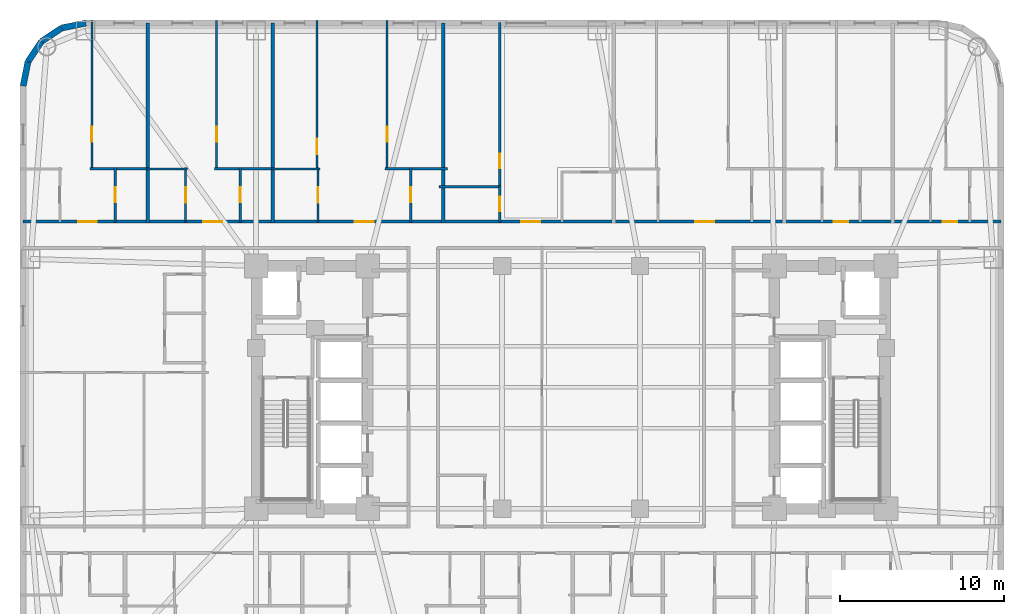
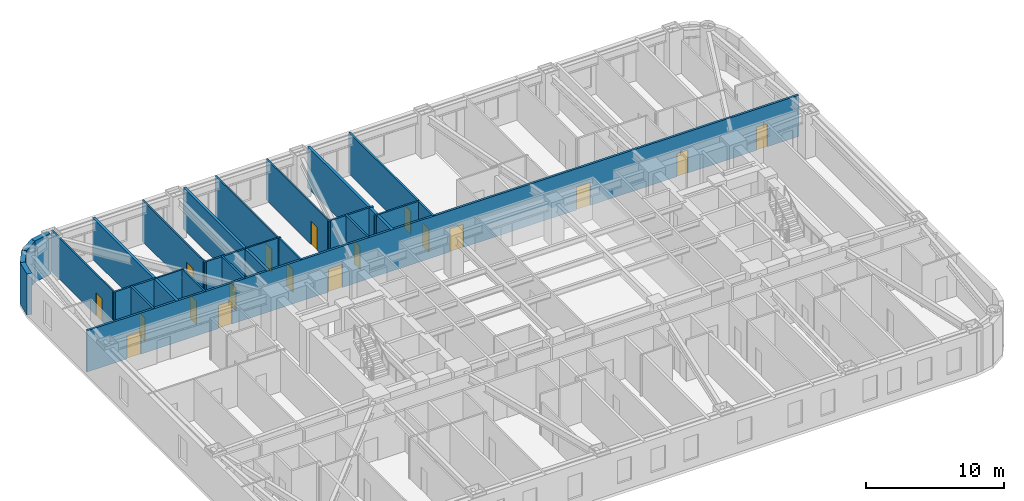
# One storey, part 7 of 12: 25 walls, 18 doors, 18 openings.
"""IFC4 building model written with IfcOpenShell, lengths in metres."""

from ifc_helpers import new_model, si_unit, direction, frame, frame_2d, origin, place, context, subcontext, project, spatial, rectangle, extrude, material, layer, layer_set, type_object, element, fill, save


model = new_model("IFC4")

# Units and contexts
model_context = context("Model", 3, precision=1e-05, world=origin(), true_north=direction((0.0, 1.0)))
body_context = subcontext(model_context, "Body", "Model", "MODEL_VIEW")
ifc_project = project(units=[si_unit("LENGTHUNIT", "METRE"), si_unit("AREAUNIT", "SQUARE_METRE"), si_unit("VOLUMEUNIT", "CUBIC_METRE"), si_unit("PLANEANGLEUNIT", "RADIAN"), si_unit("MASSUNIT", "GRAM", prefix="KILO")], contexts=[model_context])

# Site, building, storey
site_placement = place(None, origin())
site = spatial("IfcSite", under=ifc_project, at=site_placement, CompositionType="ELEMENT")
building_placement = place(site_placement, origin())
building = spatial("IfcBuilding", under=site, at=building_placement, Name="Voryun Gate Residences", CompositionType="ELEMENT")
storey_placement = place(building_placement, frame((0.0, 0.0, 41.60009765625)))
storey = spatial("IfcBuildingStorey", under=building, at=storey_placement, Name="L09", CompositionType="ELEMENT", Elevation=41.60009765625)

# Wall, openings, doors
ifc_material_1 = material(Name="Gypsum acoustic fireboard")
ifc_layer_1 = layer(ifc_material_1, 0.179931640625, Name="W_CORR_RATED_180")
ifc_layer_set_1 = layer_set([ifc_layer_1], Name="Gypsum acoustic fireboard")
wall_type_1 = type_object("IfcWallType", Name="W_CORR_RATED_180", PredefinedType="PARTITIONING", material=ifc_layer_set_1)
wall_1_placement = place(storey_placement, frame((-33.409912109375, 10.10009765625, 0.0), z_axis=(0.0, 0.0, 1.0), x_axis=(1.0, 0.0, 0.0)))
wall_1 = element("IfcWall", 1, at=wall_1_placement, inside=storey, type_object=wall_type_1, Name="Partition wall WP-L09-NCORR", PredefinedType="PARTITIONING", context=body_context, shape_type="SweptSolid", body=[
    extrude(rectangle(XDim=59.619873046875, YDim=0.179931640625, at=frame_2d((29.81005859375, 0.0))), origin(), (0.0, 0.0, 1.0), 3.64990234375),
])
opening_1_placement = place(wall_1_placement, frame((3.35400390625, 0.0, 0.0)))
opening_1 = element("IfcOpeningElement", 2, at=opening_1_placement, cuts=wall_1, Name="Opening D-UNIT-1", PredefinedType="OPENING", context=body_context, shape_type="SweptSolid", body=[
    extrude(rectangle(XDim=1.14990234375, YDim=2.050048828125, at=frame_2d((0.574951171875, 1.02490234375))), frame((0.0, 0.099853515625, 0.0), z_axis=(0.0, -1.0, 0.0), x_axis=(1.0, 0.0, 0.0)), (0.0, 0.0, 1.0), 0.199951171875),
])
opening_2_placement = place(wall_1_placement, frame((10.997314453125, 0.0, 0.0)))
opening_2 = element("IfcOpeningElement", 3, at=opening_2_placement, cuts=wall_1, Name="Opening D-UNIT-1", PredefinedType="OPENING", context=body_context, shape_type="SweptSolid", body=[
    extrude(rectangle(XDim=1.14990234375, YDim=2.050048828125, at=frame_2d((0.574951171875, 1.02490234375))), frame((0.0, 0.099853515625, 0.0), z_axis=(0.0, -1.0, 0.0), x_axis=(1.0, 0.0, 0.0)), (0.0, 0.0, 1.0), 0.199951171875),
])
opening_3_placement = place(wall_1_placement, frame((20.232421875, 0.0, 0.0)))
opening_3 = element("IfcOpeningElement", 4, at=opening_3_placement, cuts=wall_1, Name="Opening D-UNIT-1", PredefinedType="OPENING", context=body_context, shape_type="SweptSolid", body=[
    extrude(rectangle(XDim=1.14990234375, YDim=2.050048828125, at=frame_2d((0.574951171875, 1.02490234375))), frame((0.0, 0.099853515625, 0.0), z_axis=(0.0, -1.0, 0.0), x_axis=(1.0, 0.0, 0.0)), (0.0, 0.0, 1.0), 0.199951171875),
])
opening_4_placement = place(wall_1_placement, frame((30.379638671875, 0.0, 0.0)))
opening_4 = element("IfcOpeningElement", 5, at=opening_4_placement, cuts=wall_1, Name="Opening D-UNIT-1", PredefinedType="OPENING", context=body_context, shape_type="SweptSolid", body=[
    extrude(rectangle(XDim=1.14990234375, YDim=2.050048828125, at=frame_2d((0.574951171875, 1.02490234375))), frame((0.0, 0.099853515625, 0.0), z_axis=(0.0, -1.0, 0.0), x_axis=(1.0, 0.0, 0.0)), (0.0, 0.0, 1.0), 0.199951171875),
])
opening_5_placement = place(wall_1_placement, frame((40.998046875, 0.0, 0.0)))
opening_5 = element("IfcOpeningElement", 6, at=opening_5_placement, cuts=wall_1, Name="Opening D-UNIT-1", PredefinedType="OPENING", context=body_context, shape_type="SweptSolid", body=[
    extrude(rectangle(XDim=1.14990234375, YDim=2.050048828125, at=frame_2d((0.574951171875, 1.02490234375))), frame((0.0, 0.099853515625, 0.0), z_axis=(0.0, -1.0, 0.0), x_axis=(1.0, 0.0, 0.0)), (0.0, 0.0, 1.0), 0.199951171875),
])
opening_6_placement = place(wall_1_placement, frame((49.427978515625, 0.0, 0.0)))
opening_6 = element("IfcOpeningElement", 7, at=opening_6_placement, cuts=wall_1, Name="Opening D-INT-2", PredefinedType="OPENING", context=body_context, shape_type="SweptSolid", body=[
    extrude(rectangle(XDim=0.89990234375, YDim=2.050048828125, at=frame_2d((0.449951171875, 1.02490234375))), frame((0.0, 0.099853515625, 0.0), z_axis=(0.0, -1.0, 0.0), x_axis=(1.0, 0.0, 0.0)), (0.0, 0.0, 1.0), 0.199951171875),
])
opening_7_placement = place(wall_1_placement, frame((56.06982421875, 0.0, 0.0)))
opening_7 = element("IfcOpeningElement", 8, at=opening_7_placement, cuts=wall_1, Name="Opening D-INT-2", PredefinedType="OPENING", context=body_context, shape_type="SweptSolid", body=[
    extrude(rectangle(XDim=0.89990234375, YDim=2.050048828125, at=frame_2d((0.449951171875, 1.02490234375))), frame((0.0, 0.099853515625, 0.0), z_axis=(0.0, -1.0, 0.0), x_axis=(1.0, 0.0, 0.0)), (0.0, 0.0, 1.0), 0.199951171875),
])
ifc_material_2 = material(Name="Architectural oak veneer")
door_type_1 = type_object("IfcDoorType", Name="DR_INT_BATH_900", OperationType="NOTDEFINED", PredefinedType="DOOR", material=ifc_material_2)
door_1_placement = place(opening_6_placement, origin())
door_1 = element("IfcDoor", 9, at=door_1_placement, inside=storey, type_object=door_type_1, Name="Door DR-L09-NENT-6", OperationType="SINGLE_SWING_RIGHT", OverallHeight=2.050048828125, OverallWidth=0.89990234375, PredefinedType="DOOR", context=body_context, shape_type="SweptSolid", body=[
    extrude(rectangle(XDim=0.89990234375, YDim=2.050048828125, at=frame_2d((0.449951171875, 1.02490234375))), frame((0.0, 0.02490234375, 0.0), z_axis=(0.0, -1.0, 0.0), x_axis=(1.0, 0.0, 0.0)), (0.0, 0.0, 1.0), 0.050048828125),
])
fill(opening_6, door_1)
door_2_placement = place(opening_7_placement, origin())
door_2 = element("IfcDoor", 10, at=door_2_placement, inside=storey, type_object=door_type_1, Name="Door DR-L09-NENT-7", OperationType="SINGLE_SWING_LEFT", OverallHeight=2.050048828125, OverallWidth=0.89990234375, PredefinedType="DOOR", context=body_context, shape_type="SweptSolid", body=[
    extrude(rectangle(XDim=0.89990234375, YDim=2.050048828125, at=frame_2d((0.449951171875, 1.02490234375))), frame((0.0, 0.02490234375, 0.0), z_axis=(0.0, -1.0, 0.0), x_axis=(1.0, 0.0, 0.0)), (0.0, 0.0, 1.0), 0.050048828125),
])
fill(opening_7, door_2)
ifc_material_3 = material(Name="Armoured timber-clad fire door", Category="wood")
door_type_2 = type_object("IfcDoorType", Name="DR_UNIT_ENTRY_1150", OperationType="NOTDEFINED", PredefinedType="DOOR", material=ifc_material_3)
door_3_placement = place(opening_1_placement, origin())
door_3 = element("IfcDoor", 11, at=door_3_placement, inside=storey, type_object=door_type_2, Name="Door DR-L09-NENT-1", OperationType="SINGLE_SWING_LEFT", OverallHeight=2.050048828125, OverallWidth=1.14990234375, PredefinedType="DOOR", context=body_context, shape_type="SweptSolid", body=[
    extrude(rectangle(XDim=1.14990234375, YDim=2.050048828125, at=frame_2d((0.574951171875, 1.02490234375))), frame((0.0, 0.02490234375, 0.0), z_axis=(0.0, -1.0, 0.0), x_axis=(1.0, 0.0, 0.0)), (0.0, 0.0, 1.0), 0.050048828125),
])
fill(opening_1, door_3)
door_4_placement = place(opening_2_placement, origin())
door_4 = element("IfcDoor", 12, at=door_4_placement, inside=storey, type_object=door_type_2, Name="Door DR-L09-NENT-2", OperationType="SINGLE_SWING_RIGHT", OverallHeight=2.050048828125, OverallWidth=1.14990234375, PredefinedType="DOOR", context=body_context, shape_type="SweptSolid", body=[
    extrude(rectangle(XDim=1.14990234375, YDim=2.050048828125, at=frame_2d((0.574951171875, 1.02490234375))), frame((0.0, 0.02490234375, 0.0), z_axis=(0.0, -1.0, 0.0), x_axis=(1.0, 0.0, 0.0)), (0.0, 0.0, 1.0), 0.050048828125),
])
fill(opening_2, door_4)
door_5_placement = place(opening_3_placement, origin())
door_5 = element("IfcDoor", 13, at=door_5_placement, inside=storey, type_object=door_type_2, Name="Door DR-L09-NENT-3", OperationType="SINGLE_SWING_LEFT", OverallHeight=2.050048828125, OverallWidth=1.14990234375, PredefinedType="DOOR", context=body_context, shape_type="SweptSolid", body=[
    extrude(rectangle(XDim=1.14990234375, YDim=2.050048828125, at=frame_2d((0.574951171875, 1.02490234375))), frame((0.0, 0.02490234375, 0.0), z_axis=(0.0, -1.0, 0.0), x_axis=(1.0, 0.0, 0.0)), (0.0, 0.0, 1.0), 0.050048828125),
])
fill(opening_3, door_5)
door_6_placement = place(opening_4_placement, origin())
door_6 = element("IfcDoor", 14, at=door_6_placement, inside=storey, type_object=door_type_2, Name="Door DR-L09-NENT-4", OperationType="SINGLE_SWING_RIGHT", OverallHeight=2.050048828125, OverallWidth=1.14990234375, PredefinedType="DOOR", context=body_context, shape_type="SweptSolid", body=[
    extrude(rectangle(XDim=1.14990234375, YDim=2.050048828125, at=frame_2d((0.574951171875, 1.02490234375))), frame((0.0, 0.02490234375, 0.0), z_axis=(0.0, -1.0, 0.0), x_axis=(1.0, 0.0, 0.0)), (0.0, 0.0, 1.0), 0.050048828125),
])
fill(opening_4, door_6)
door_7_placement = place(opening_5_placement, origin())
door_7 = element("IfcDoor", 15, at=door_7_placement, inside=storey, type_object=door_type_2, Name="Door DR-L09-NENT-5", OperationType="SINGLE_SWING_LEFT", OverallHeight=2.050048828125, OverallWidth=1.14990234375, PredefinedType="DOOR", context=body_context, shape_type="SweptSolid", body=[
    extrude(rectangle(XDim=1.14990234375, YDim=2.050048828125, at=frame_2d((0.574951171875, 1.02490234375))), frame((0.0, 0.02490234375, 0.0), z_axis=(0.0, -1.0, 0.0), x_axis=(1.0, 0.0, 0.0)), (0.0, 0.0, 1.0), 0.050048828125),
])
fill(opening_5, door_7)

# Walls
ifc_material_4 = material(Name="Granite masonry", Category="masonry")
ifc_layer_2 = layer(ifc_material_4, 0.3798828125, Name="W_EXT_GRANITE_380")
ifc_layer_set_2 = layer_set([ifc_layer_2], Name="Granite masonry")
wall_type_2 = type_object("IfcWallType", Name="W_EXT_GRANITE_380", PredefinedType="ELEMENTEDWALL", material=ifc_layer_set_2)
wall_2_placement = place(storey_placement, frame((-33.409912109375, 18.38134765625, 0.0), z_axis=(0.0, 0.0, 1.0), x_axis=(0.195086038585, 0.980786132421, 0.0)))
element("IfcWall", 16, at=wall_2_placement, inside=storey, type_object=wall_type_2, Name="Exterior wall WEXT-L09-07", PredefinedType="ELEMENTEDWALL", context=body_context, shape_type="SweptSolid", body=[
    extrude(rectangle(XDim=1.504150390625, YDim=0.3798828125, at=frame_2d((0.751953125, 0.0))), origin(), (0.0, 0.0, 1.0), 3.64990234375),
])
wall_3_placement = place(storey_placement, frame((-33.116455078125, 19.856689453125, 0.0), z_axis=(0.0, 0.0, 1.0), x_axis=(0.555572577804, 0.831468045563, 0.0)))
element("IfcWall", 17, at=wall_3_placement, inside=storey, type_object=wall_type_2, Name="Exterior wall WEXT-L09-08", PredefinedType="ELEMENTEDWALL", context=body_context, shape_type="SweptSolid", body=[
    extrude(rectangle(XDim=1.48486328125, YDim=0.3798828125, at=frame_2d((0.742431640625, 0.0))), origin(), (0.0, 0.0, 1.0), 3.64990234375),
])
wall_4_placement = place(storey_placement, frame((-32.29150390625, 21.09130859375, 0.0), z_axis=(0.0, 0.0, 1.0), x_axis=(0.831442848281, 0.555610286119, 0.0)))
element("IfcWall", 18, at=wall_4_placement, inside=storey, type_object=wall_type_2, Name="Exterior wall WEXT-L09-09", PredefinedType="ELEMENTEDWALL", context=body_context, shape_type="SweptSolid", body=[
    extrude(rectangle(XDim=1.485107421875, YDim=0.3798828125, at=frame_2d((0.74267578125, 0.0))), origin(), (0.0, 0.0, 1.0), 3.64990234375),
])
wall_5_placement = place(storey_placement, frame((-31.056640625, 21.91650390625, 0.0), z_axis=(0.0, 0.0, 1.0), x_axis=(0.980786132421, 0.195086038585, 0.0)))
element("IfcWall", 19, at=wall_5_placement, inside=storey, type_object=wall_type_2, Name="Exterior wall WEXT-L09-10", PredefinedType="ELEMENTEDWALL", context=body_context, shape_type="SweptSolid", body=[
    extrude(rectangle(XDim=1.504150390625, YDim=0.3798828125, at=frame_2d((0.751953125, 0.0))), origin(), (0.0, 0.0, 1.0), 3.64990234375),
])
ifc_material_5 = material(Name="Concrete C40/50", Category="concrete")
ifc_layer_3 = layer(ifc_material_5, 0.219970703125, Name="W_PARTY_ACOUSTIC_220")
ifc_layer_set_3 = layer_set([ifc_layer_3], Name="Concrete C40/50")
wall_type_3 = type_object("IfcWallType", Name="W_PARTY_ACOUSTIC_220", PredefinedType="PARTITIONING", material=ifc_layer_set_3)
for number, where, z_axis, x_axis, name in (
    (20, (-25.80908203125, 10.02001953125, 0.0), (0.0, 0.0, 1.0), (0.0, 1.0, 0.0), "Partition wall WP-L09-NPTY-1"),
    (21, (-18.199951171875, 10.02001953125, 0.0), (0.0, 0.0, 1.0), (0.0, 1.0, 0.0), "Partition wall WP-L09-NPTY-2"),
    (22, (-7.800048828125, 10.02001953125, 0.0), (0.0, 0.0, 1.0), (0.0, 1.0, 0.0), "Partition wall WP-L09-NPTY-3"),
):
    element("IfcWall", number, at=place(storey_placement, frame(where, z_axis=z_axis, x_axis=x_axis)), inside=storey, type_object=wall_type_3, Name=name, PredefinedType="PARTITIONING", context=body_context, shape_type="SweptSolid", body=[
        extrude(rectangle(XDim=12.18994140625, YDim=0.219970703125, at=frame_2d((6.094970703125, 0.0))), origin(), (0.0, 0.0, 1.0), 3.64990234375),
    ])

# Wall, opening, door
ifc_material_6 = material(Name="Gypsum acoustic partition")
ifc_layer_4 = layer(ifc_material_6, 0.125, Name="W_UNIT_PART_125")
ifc_layer_set_4 = layer_set([ifc_layer_4], Name="Gypsum acoustic partition")
wall_type_4 = type_object("IfcWallType", Name="W_UNIT_PART_125", PredefinedType="PARTITIONING", material=ifc_layer_set_4)
wall_6_placement = place(storey_placement, frame((-29.218994140625, 13.239990234375, 0.0), z_axis=(0.0, 0.0, 1.0), x_axis=(0.0, 1.0, 0.0)))
wall_6 = element("IfcWall", 23, at=wall_6_placement, inside=storey, type_object=wall_type_4, Name="Partition wall WP-L09-N1-OVR", PredefinedType="PARTITIONING", context=body_context, shape_type="SweptSolid", body=[
    extrude(rectangle(XDim=9.1201171875, YDim=0.125, at=frame_2d((4.56005859375, 0.0))), origin(), (0.0, 0.0, 1.0), 3.64990234375),
])
opening_8_placement = place(wall_6_placement, frame((1.73876953125, 0.0, 0.0)))
opening_8 = element("IfcOpeningElement", 24, at=opening_8_placement, cuts=wall_6, Name="Opening D-INT-2", PredefinedType="OPENING", context=body_context, shape_type="SweptSolid", body=[
    extrude(rectangle(XDim=0.89990234375, YDim=2.050048828125, at=frame_2d((0.449951171875, 1.02490234375))), frame((0.0, 0.072509765625, 0.0), z_axis=(0.0, -1.0, 0.0), x_axis=(1.0, 0.0, 0.0)), (0.0, 0.0, 1.0), 0.14501953125),
])
door_8_placement = place(opening_8_placement, origin())
door_8 = element("IfcDoor", 25, at=door_8_placement, inside=storey, type_object=door_type_1, Name="Door DR-L09-N1-DMB", OperationType="SINGLE_SWING_RIGHT", OverallHeight=2.050048828125, OverallWidth=0.89990234375, PredefinedType="DOOR", context=body_context, shape_type="SweptSolid", body=[
    extrude(rectangle(XDim=0.89990234375, YDim=2.050048828125, at=frame_2d((0.449951171875, 1.02490234375))), frame((0.0, 0.02490234375, 0.0), z_axis=(0.0, -1.0, 0.0), x_axis=(1.0, 0.0, 0.0)), (0.0, 0.0, 1.0), 0.050048828125),
])
fill(opening_8, door_8)

wall_7_placement = place(storey_placement, frame((-21.610107421875, 13.239990234375, 0.0), z_axis=(0.0, 0.0, 1.0), x_axis=(0.0, 1.0, 0.0)))
wall_7 = element("IfcWall", 26, at=wall_7_placement, inside=storey, type_object=wall_type_4, Name="Partition wall WP-L09-N2-OVR", PredefinedType="PARTITIONING", context=body_context, shape_type="SweptSolid", body=[
    extrude(rectangle(XDim=9.1201171875, YDim=0.125, at=frame_2d((4.56005859375, 0.0))), origin(), (0.0, 0.0, 1.0), 3.64990234375),
])
opening_9_placement = place(wall_7_placement, frame((1.73876953125, 0.0, 0.0)))
opening_9 = element("IfcOpeningElement", 27, at=opening_9_placement, cuts=wall_7, Name="Opening D-INT-2", PredefinedType="OPENING", context=body_context, shape_type="SweptSolid", body=[
    extrude(rectangle(XDim=0.89990234375, YDim=2.050048828125, at=frame_2d((0.449951171875, 1.02490234375))), frame((0.0, 0.072509765625, 0.0), z_axis=(0.0, -1.0, 0.0), x_axis=(1.0, 0.0, 0.0)), (0.0, 0.0, 1.0), 0.14501953125),
])
door_9_placement = place(opening_9_placement, origin())
door_9 = element("IfcDoor", 28, at=door_9_placement, inside=storey, type_object=door_type_1, Name="Door DR-L09-N2-DMB", OperationType="SINGLE_SWING_RIGHT", OverallHeight=2.050048828125, OverallWidth=0.89990234375, PredefinedType="DOOR", context=body_context, shape_type="SweptSolid", body=[
    extrude(rectangle(XDim=0.89990234375, YDim=2.050048828125, at=frame_2d((0.449951171875, 1.02490234375))), frame((0.0, 0.02490234375, 0.0), z_axis=(0.0, -1.0, 0.0), x_axis=(1.0, 0.0, 0.0)), (0.0, 0.0, 1.0), 0.050048828125),
])
fill(opening_9, door_9)

wall_8_placement = place(storey_placement, frame((-23.4990234375, 10.080078125, 0.0), z_axis=(0.0, 0.0, 1.0), x_axis=(0.0, 1.0, 0.0)))
wall_8 = element("IfcWall", 29, at=wall_8_placement, inside=storey, type_object=wall_type_4, Name="Partition wall WP-L09-N2-IVK", PredefinedType="PARTITIONING", context=body_context, shape_type="SweptSolid", body=[
    extrude(rectangle(XDim=3.31982421875, YDim=0.125, at=frame_2d((1.659912109375, 0.0))), origin(), (0.0, 0.0, 1.0), 3.64990234375),
])
opening_10_placement = place(wall_8_placement, frame((1.18505859375, 0.0, 0.0)))
opening_10 = element("IfcOpeningElement", 30, at=opening_10_placement, cuts=wall_8, Name="Opening D-INT-1", PredefinedType="OPENING", context=body_context, shape_type="SweptSolid", body=[
    extrude(rectangle(XDim=0.949951171875, YDim=2.050048828125, at=frame_2d((0.47509765625, 1.02490234375))), frame((0.0, 0.072509765625, 0.0), z_axis=(0.0, -1.0, 0.0), x_axis=(1.0, 0.0, 0.0)), (0.0, 0.0, 1.0), 0.14501953125),
])
ifc_material_7 = material(Name="Architectural oak veneer")
door_type_3 = type_object("IfcDoorType", Name="DR_INT_ROOM_950", OperationType="NOTDEFINED", PredefinedType="DOOR", material=ifc_material_7)
door_10_placement = place(opening_10_placement, origin())
door_10 = element("IfcDoor", 31, at=door_10_placement, inside=storey, type_object=door_type_3, Name="Door DR-L09-N2-DK", OperationType="SINGLE_SWING_LEFT", OverallHeight=2.050048828125, OverallWidth=0.949951171875, PredefinedType="DOOR", context=body_context, shape_type="SweptSolid", body=[
    extrude(rectangle(XDim=0.949951171875, YDim=2.050048828125, at=frame_2d((0.47509765625, 1.02490234375))), frame((0.0, 0.02490234375, 0.0), z_axis=(0.0, -1.0, 0.0), x_axis=(1.0, 0.0, 0.0)), (0.0, 0.0, 1.0), 0.050048828125),
])
fill(opening_10, door_10)

# Wall
wall_9_placement = place(storey_placement, frame((-25.884033203125, 13.320068359375, 0.0), z_axis=(0.0, 0.0, 1.0), x_axis=(1.0, 0.0, 0.0)))
element("IfcWall", 32, at=wall_9_placement, inside=storey, type_object=wall_type_4, Name="Partition wall WP-L09-N2-HZK", PredefinedType="PARTITIONING", context=body_context, shape_type="SweptSolid", body=[
    extrude(rectangle(XDim=2.505126953125, YDim=0.125, at=frame_2d((1.25244140625, 0.0))), origin(), (0.0, 0.0, 1.0), 3.64990234375),
])

# Wall, opening, door
wall_10_placement = place(storey_placement, frame((-15.488037109375, 13.239990234375, 0.0), z_axis=(0.0, 0.0, 1.0), x_axis=(0.0, 1.0, 0.0)))
wall_10 = element("IfcWall", 33, at=wall_10_placement, inside=storey, type_object=wall_type_4, Name="Partition wall WP-L09-N3-OVL", PredefinedType="PARTITIONING", context=body_context, shape_type="SweptSolid", body=[
    extrude(rectangle(XDim=9.1201171875, YDim=0.125, at=frame_2d((4.56005859375, 0.0))), origin(), (0.0, 0.0, 1.0), 3.64990234375),
])
opening_11_placement = place(wall_10_placement, frame((0.984130859375, 0.0, 0.0)))
opening_11 = element("IfcOpeningElement", 34, at=opening_11_placement, cuts=wall_10, Name="Opening D-INT-1", PredefinedType="OPENING", context=body_context, shape_type="SweptSolid", body=[
    extrude(rectangle(XDim=0.949951171875, YDim=2.050048828125, at=frame_2d((0.47509765625, 1.02490234375))), frame((0.0, 0.072509765625, 0.0), z_axis=(0.0, -1.0, 0.0), x_axis=(1.0, 0.0, 0.0)), (0.0, 0.0, 1.0), 0.14501953125),
])
door_11_placement = place(opening_11_placement, origin())
door_11 = element("IfcDoor", 35, at=door_11_placement, inside=storey, type_object=door_type_3, Name="Door DR-L09-N3-DB2", OperationType="SINGLE_SWING_LEFT", OverallHeight=2.050048828125, OverallWidth=0.949951171875, PredefinedType="DOOR", context=body_context, shape_type="SweptSolid", body=[
    extrude(rectangle(XDim=0.949951171875, YDim=2.050048828125, at=frame_2d((0.47509765625, 1.02490234375))), frame((0.0, 0.02490234375, 0.0), z_axis=(0.0, -1.0, 0.0), x_axis=(1.0, 0.0, 0.0)), (0.0, 0.0, 1.0), 0.050048828125),
])
fill(opening_11, door_11)

wall_11_placement = place(storey_placement, frame((-11.2099609375, 13.239990234375, 0.0), z_axis=(0.0, 0.0, 1.0), x_axis=(0.0, 1.0, 0.0)))
wall_11 = element("IfcWall", 36, at=wall_11_placement, inside=storey, type_object=wall_type_4, Name="Partition wall WP-L09-N3-OVR", PredefinedType="PARTITIONING", context=body_context, shape_type="SweptSolid", body=[
    extrude(rectangle(XDim=9.1201171875, YDim=0.125, at=frame_2d((4.56005859375, 0.0))), origin(), (0.0, 0.0, 1.0), 3.64990234375),
])
opening_12_placement = place(wall_11_placement, frame((1.73876953125, 0.0, 0.0)))
opening_12 = element("IfcOpeningElement", 37, at=opening_12_placement, cuts=wall_11, Name="Opening D-INT-2", PredefinedType="OPENING", context=body_context, shape_type="SweptSolid", body=[
    extrude(rectangle(XDim=0.89990234375, YDim=2.050048828125, at=frame_2d((0.449951171875, 1.02490234375))), frame((0.0, 0.072509765625, 0.0), z_axis=(0.0, -1.0, 0.0), x_axis=(1.0, 0.0, 0.0)), (0.0, 0.0, 1.0), 0.14501953125),
])
door_12_placement = place(opening_12_placement, origin())
door_12 = element("IfcDoor", 38, at=door_12_placement, inside=storey, type_object=door_type_1, Name="Door DR-L09-N3-DMB", OperationType="SINGLE_SWING_RIGHT", OverallHeight=2.050048828125, OverallWidth=0.89990234375, PredefinedType="DOOR", context=body_context, shape_type="SweptSolid", body=[
    extrude(rectangle(XDim=0.89990234375, YDim=2.050048828125, at=frame_2d((0.449951171875, 1.02490234375))), frame((0.0, 0.02490234375, 0.0), z_axis=(0.0, -1.0, 0.0), x_axis=(1.0, 0.0, 0.0)), (0.0, 0.0, 1.0), 0.050048828125),
])
fill(opening_12, door_12)

wall_12_placement = place(storey_placement, frame((-15.426025390625, 10.080078125, 0.0), z_axis=(0.0, 0.0, 1.0), x_axis=(0.0, 1.0, 0.0)))
wall_12 = element("IfcWall", 39, at=wall_12_placement, inside=storey, type_object=wall_type_4, Name="Partition wall WP-L09-N3-IVK", PredefinedType="PARTITIONING", context=body_context, shape_type="SweptSolid", body=[
    extrude(rectangle(XDim=3.31982421875, YDim=0.125, at=frame_2d((1.659912109375, 0.0))), origin(), (0.0, 0.0, 1.0), 3.64990234375),
])
opening_13_placement = place(wall_12_placement, frame((1.18505859375, 0.0, 0.0)))
opening_13 = element("IfcOpeningElement", 40, at=opening_13_placement, cuts=wall_12, Name="Opening D-INT-1", PredefinedType="OPENING", context=body_context, shape_type="SweptSolid", body=[
    extrude(rectangle(XDim=0.949951171875, YDim=2.050048828125, at=frame_2d((0.47509765625, 1.02490234375))), frame((0.0, 0.072509765625, 0.0), z_axis=(0.0, -1.0, 0.0), x_axis=(1.0, 0.0, 0.0)), (0.0, 0.0, 1.0), 0.14501953125),
])
door_13_placement = place(opening_13_placement, origin())
door_13 = element("IfcDoor", 41, at=door_13_placement, inside=storey, type_object=door_type_3, Name="Door DR-L09-N3-DK", OperationType="SINGLE_SWING_LEFT", OverallHeight=2.050048828125, OverallWidth=0.949951171875, PredefinedType="DOOR", context=body_context, shape_type="SweptSolid", body=[
    extrude(rectangle(XDim=0.949951171875, YDim=2.050048828125, at=frame_2d((0.47509765625, 1.02490234375))), frame((0.0, 0.02490234375, 0.0), z_axis=(0.0, -1.0, 0.0), x_axis=(1.0, 0.0, 0.0)), (0.0, 0.0, 1.0), 0.050048828125),
])
fill(opening_13, door_13)

# Walls
wall_13_placement = place(storey_placement, frame((-18.27490234375, 13.320068359375, 0.0), z_axis=(0.0, 0.0, 1.0), x_axis=(1.0, 0.0, 0.0)))
element("IfcWall", 42, at=wall_13_placement, inside=storey, type_object=wall_type_4, Name="Partition wall WP-L09-N3-HZK", PredefinedType="PARTITIONING", context=body_context, shape_type="SweptSolid", body=[
    extrude(rectangle(XDim=2.968994140625, YDim=0.125, at=frame_2d((1.484375, 0.0))), origin(), (0.0, 0.0, 1.0), 3.64990234375),
])
ifc_material_8 = material(Name="Gypsum moisture-resistant partition")
ifc_layer_5 = layer(ifc_material_8, 0.14990234375, Name="W_WET_PLUMB_150")
ifc_layer_set_5 = layer_set([ifc_layer_5], Name="Gypsum moisture-resistant partition")
wall_type_5 = type_object("IfcWallType", Name="W_WET_PLUMB_150", PredefinedType="PLUMBINGWALL", material=ifc_layer_set_5)
wall_14_placement = place(storey_placement, frame((-29.339111328125, 13.320068359375, 0.0), z_axis=(0.0, 0.0, 1.0), x_axis=(1.0, 0.0, 0.0)))
element("IfcWall", 43, at=wall_14_placement, inside=storey, type_object=wall_type_5, Name="Partition wall WP-L09-N1-HZB", PredefinedType="PLUMBINGWALL", context=body_context, shape_type="SweptSolid", body=[
    extrude(rectangle(XDim=3.605224609375, YDim=0.14990234375, at=frame_2d((1.802734375, 0.0))), origin(), (0.0, 0.0, 1.0), 3.64990234375),
])

# Wall, opening, door
wall_15_placement = place(storey_placement, frame((-27.7890625, 10.080078125, 0.0), z_axis=(0.0, 0.0, 1.0), x_axis=(0.0, 1.0, 0.0)))
wall_15 = element("IfcWall", 44, at=wall_15_placement, inside=storey, type_object=wall_type_5, Name="Partition wall WP-L09-N1-IVB", PredefinedType="PLUMBINGWALL", context=body_context, shape_type="SweptSolid", body=[
    extrude(rectangle(XDim=3.31982421875, YDim=0.14990234375, at=frame_2d((1.659912109375, 0.0))), origin(), (0.0, 0.0, 1.0), 3.64990234375),
])
opening_14_placement = place(wall_15_placement, frame((1.2099609375, 0.0, 0.0)))
opening_14 = element("IfcOpeningElement", 45, at=opening_14_placement, cuts=wall_15, Name="Opening D-INT-2", PredefinedType="OPENING", context=body_context, shape_type="SweptSolid", body=[
    extrude(rectangle(XDim=0.89990234375, YDim=2.050048828125, at=frame_2d((0.449951171875, 1.02490234375))), frame((0.0, 0.0849609375, 0.0), z_axis=(0.0, -1.0, 0.0), x_axis=(1.0, 0.0, 0.0)), (0.0, 0.0, 1.0), 0.169921875),
])
door_14_placement = place(opening_14_placement, origin())
door_14 = element("IfcDoor", 46, at=door_14_placement, inside=storey, type_object=door_type_1, Name="Door DR-L09-N1-DB", OperationType="SINGLE_SWING_RIGHT", OverallHeight=2.050048828125, OverallWidth=0.89990234375, PredefinedType="DOOR", context=body_context, shape_type="SweptSolid", body=[
    extrude(rectangle(XDim=0.89990234375, YDim=2.050048828125, at=frame_2d((0.449951171875, 1.02490234375))), frame((0.0, 0.02490234375, 0.0), z_axis=(0.0, -1.0, 0.0), x_axis=(1.0, 0.0, 0.0)), (0.0, 0.0, 1.0), 0.050048828125),
])
fill(opening_14, door_14)

# Wall
wall_16_placement = place(storey_placement, frame((-21.72998046875, 13.320068359375, 0.0), z_axis=(0.0, 0.0, 1.0), x_axis=(1.0, 0.0, 0.0)))
element("IfcWall", 47, at=wall_16_placement, inside=storey, type_object=wall_type_5, Name="Partition wall WP-L09-N2-HZB", PredefinedType="PLUMBINGWALL", context=body_context, shape_type="SweptSolid", body=[
    extrude(rectangle(XDim=3.60498046875, YDim=0.14990234375, at=frame_2d((1.802490234375, 0.0))), origin(), (0.0, 0.0, 1.0), 3.64990234375),
])

# Wall, opening, door
wall_17_placement = place(storey_placement, frame((-20.179931640625, 10.080078125, 0.0), z_axis=(0.0, 0.0, 1.0), x_axis=(0.0, 1.0, 0.0)))
wall_17 = element("IfcWall", 48, at=wall_17_placement, inside=storey, type_object=wall_type_5, Name="Partition wall WP-L09-N2-IVB", PredefinedType="PLUMBINGWALL", context=body_context, shape_type="SweptSolid", body=[
    extrude(rectangle(XDim=3.31982421875, YDim=0.14990234375, at=frame_2d((1.659912109375, 0.0))), origin(), (0.0, 0.0, 1.0), 3.64990234375),
])
opening_15_placement = place(wall_17_placement, frame((1.2099609375, 0.0, 0.0)))
opening_15 = element("IfcOpeningElement", 49, at=opening_15_placement, cuts=wall_17, Name="Opening D-INT-2", PredefinedType="OPENING", context=body_context, shape_type="SweptSolid", body=[
    extrude(rectangle(XDim=0.89990234375, YDim=2.050048828125, at=frame_2d((0.449951171875, 1.02490234375))), frame((0.0, 0.0849609375, 0.0), z_axis=(0.0, -1.0, 0.0), x_axis=(1.0, 0.0, 0.0)), (0.0, 0.0, 1.0), 0.169921875),
])
door_15_placement = place(opening_15_placement, origin())
door_15 = element("IfcDoor", 50, at=door_15_placement, inside=storey, type_object=door_type_1, Name="Door DR-L09-N2-DB", OperationType="SINGLE_SWING_RIGHT", OverallHeight=2.050048828125, OverallWidth=0.89990234375, PredefinedType="DOOR", context=body_context, shape_type="SweptSolid", body=[
    extrude(rectangle(XDim=0.89990234375, YDim=2.050048828125, at=frame_2d((0.449951171875, 1.02490234375))), frame((0.0, 0.02490234375, 0.0), z_axis=(0.0, -1.0, 0.0), x_axis=(1.0, 0.0, 0.0)), (0.0, 0.0, 1.0), 0.050048828125),
])
fill(opening_15, door_15)

# Wall
wall_18_placement = place(storey_placement, frame((-11.330078125, 13.320068359375, 0.0), z_axis=(0.0, 0.0, 1.0), x_axis=(1.0, 0.0, 0.0)))
element("IfcWall", 51, at=wall_18_placement, inside=storey, type_object=wall_type_5, Name="Partition wall WP-L09-N3-HZB", PredefinedType="PLUMBINGWALL", context=body_context, shape_type="SweptSolid", body=[
    extrude(rectangle(XDim=3.7900390625, YDim=0.14990234375, at=frame_2d((1.89501953125, 0.0))), origin(), (0.0, 0.0, 1.0), 3.64990234375),
])

# Wall, opening, door
wall_19_placement = place(storey_placement, frame((-9.780029296875, 10.080078125, 0.0), z_axis=(0.0, 0.0, 1.0), x_axis=(0.0, 1.0, 0.0)))
wall_19 = element("IfcWall", 52, at=wall_19_placement, inside=storey, type_object=wall_type_5, Name="Partition wall WP-L09-N3-IVB", PredefinedType="PLUMBINGWALL", context=body_context, shape_type="SweptSolid", body=[
    extrude(rectangle(XDim=3.31982421875, YDim=0.14990234375, at=frame_2d((1.659912109375, 0.0))), origin(), (0.0, 0.0, 1.0), 3.64990234375),
])
opening_16_placement = place(wall_19_placement, frame((1.2099609375, 0.0, 0.0)))
opening_16 = element("IfcOpeningElement", 53, at=opening_16_placement, cuts=wall_19, Name="Opening D-INT-2", PredefinedType="OPENING", context=body_context, shape_type="SweptSolid", body=[
    extrude(rectangle(XDim=0.89990234375, YDim=2.050048828125, at=frame_2d((0.449951171875, 1.02490234375))), frame((0.0, 0.0849609375, 0.0), z_axis=(0.0, -1.0, 0.0), x_axis=(1.0, 0.0, 0.0)), (0.0, 0.0, 1.0), 0.169921875),
])
door_16_placement = place(opening_16_placement, origin())
door_16 = element("IfcDoor", 54, at=door_16_placement, inside=storey, type_object=door_type_1, Name="Door DR-L09-N3-DB", OperationType="SINGLE_SWING_RIGHT", OverallHeight=2.050048828125, OverallWidth=0.89990234375, PredefinedType="DOOR", context=body_context, shape_type="SweptSolid", body=[
    extrude(rectangle(XDim=0.89990234375, YDim=2.050048828125, at=frame_2d((0.449951171875, 1.02490234375))), frame((0.0, 0.02490234375, 0.0), z_axis=(0.0, -1.0, 0.0), x_axis=(1.0, 0.0, 0.0)), (0.0, 0.0, 1.0), 0.050048828125),
])
fill(opening_16, door_16)

# Wall
wall_20_placement = place(storey_placement, frame((-8.06005859375, 12.239990234375, 0.0), z_axis=(0.0, 0.0, 1.0), x_axis=(1.0, 0.0, 0.0)))
element("IfcWall", 55, at=wall_20_placement, inside=storey, type_object=wall_type_5, Name="Partition wall WP-L09-N4-LHY", PredefinedType="PLUMBINGWALL", context=body_context, shape_type="SweptSolid", body=[
    extrude(rectangle(XDim=3.7919921875, YDim=0.14990234375, at=frame_2d((1.89599609375, 0.0))), origin(), (0.0, 0.0, 1.0), 3.64990234375),
])

# Wall, opening, door
wall_21_placement = place(storey_placement, frame((-4.347900390625, 10.080078125, 0.0), z_axis=(0.0, 0.0, 1.0), x_axis=(0.0, 1.0, 0.0)))
wall_21 = element("IfcWall", 56, at=wall_21_placement, inside=storey, type_object=wall_type_5, Name="Partition wall WP-L09-N4-LVX1", PredefinedType="PLUMBINGWALL", context=body_context, shape_type="SweptSolid", body=[
    extrude(rectangle(XDim=2.199951171875, YDim=0.14990234375, at=frame_2d((1.10009765625, 0.0))), origin(), (0.0, 0.0, 1.0), 3.64990234375),
])
opening_17_placement = place(wall_21_placement, frame((0.64990234375, 0.0, 0.0)))
opening_17 = element("IfcOpeningElement", 57, at=opening_17_placement, cuts=wall_21, Name="Opening D-INT-2", PredefinedType="OPENING", context=body_context, shape_type="SweptSolid", body=[
    extrude(rectangle(XDim=0.89990234375, YDim=2.050048828125, at=frame_2d((0.449951171875, 1.02490234375))), frame((0.0, 0.0849609375, 0.0), z_axis=(0.0, -1.0, 0.0), x_axis=(1.0, 0.0, 0.0)), (0.0, 0.0, 1.0), 0.169921875),
])
door_17_placement = place(opening_17_placement, origin())
door_17 = element("IfcDoor", 58, at=door_17_placement, inside=storey, type_object=door_type_1, Name="Door DR-L09-N4-DB", OperationType="SINGLE_SWING_LEFT", OverallHeight=2.050048828125, OverallWidth=0.89990234375, PredefinedType="DOOR", context=body_context, shape_type="SweptSolid", body=[
    extrude(rectangle(XDim=0.89990234375, YDim=2.050048828125, at=frame_2d((0.449951171875, 1.02490234375))), frame((0.0, 0.02490234375, 0.0), z_axis=(0.0, -1.0, 0.0), x_axis=(1.0, 0.0, 0.0)), (0.0, 0.0, 1.0), 0.050048828125),
])
fill(opening_17, door_17)

wall_22_placement = place(storey_placement, frame((-4.347900390625, 12.199951171875, 0.0), z_axis=(0.0, 0.0, 1.0), x_axis=(0.0, 1.0, 0.0)))
wall_22 = element("IfcWall", 59, at=wall_22_placement, inside=storey, type_object=wall_type_5, Name="Partition wall WP-L09-N4-LVX2", PredefinedType="PLUMBINGWALL", context=body_context, shape_type="SweptSolid", body=[
    extrude(rectangle(XDim=10.0576171875, YDim=0.14990234375, at=frame_2d((5.02880859375, 0.0))), origin(), (0.0, 0.0, 1.0), 3.64990234375),
])
opening_18_placement = place(wall_22_placement, frame((1.1591796875, 0.0, 0.0)))
opening_18 = element("IfcOpeningElement", 60, at=opening_18_placement, cuts=wall_22, Name="Opening D-INT-2", PredefinedType="OPENING", context=body_context, shape_type="SweptSolid", body=[
    extrude(rectangle(XDim=0.89990234375, YDim=2.050048828125, at=frame_2d((0.449951171875, 1.02490234375))), frame((0.0, 0.0849609375, 0.0), z_axis=(0.0, -1.0, 0.0), x_axis=(1.0, 0.0, 0.0)), (0.0, 0.0, 1.0), 0.169921875),
])
door_18_placement = place(opening_18_placement, origin())
door_18 = element("IfcDoor", 61, at=door_18_placement, inside=storey, type_object=door_type_1, Name="Door DR-L09-N4-DMB", OperationType="SINGLE_SWING_RIGHT", OverallHeight=2.050048828125, OverallWidth=0.89990234375, PredefinedType="DOOR", context=body_context, shape_type="SweptSolid", body=[
    extrude(rectangle(XDim=0.89990234375, YDim=2.050048828125, at=frame_2d((0.449951171875, 1.02490234375))), frame((0.0, 0.02490234375, 0.0), z_axis=(0.0, -1.0, 0.0), x_axis=(1.0, 0.0, 0.0)), (0.0, 0.0, 1.0), 0.050048828125),
])
fill(opening_18, door_18)

save(model, "model.ifc")
